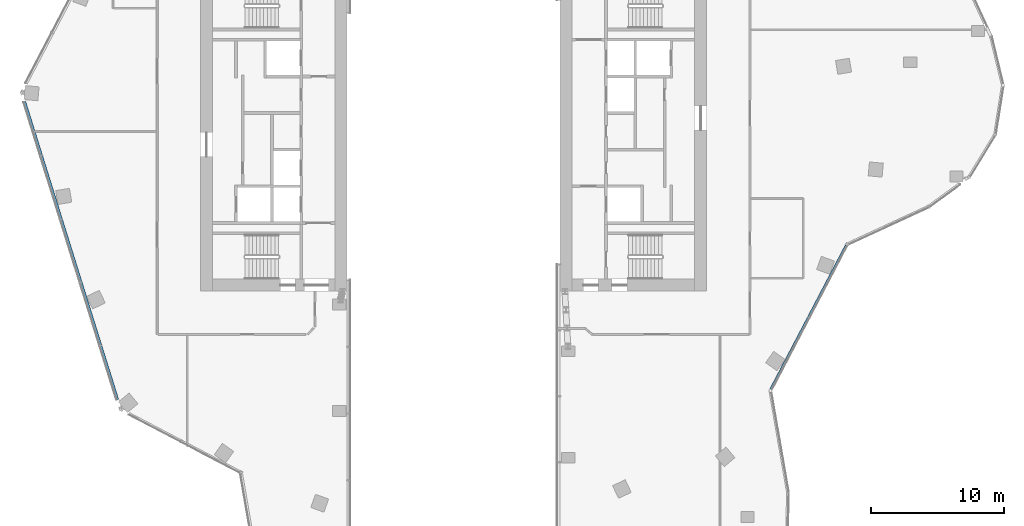
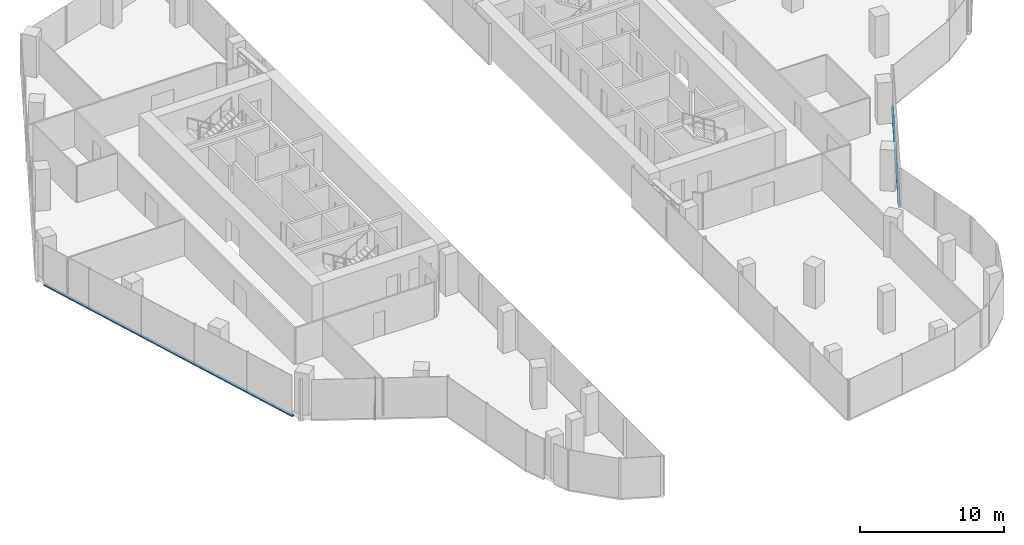
# One storey, part 4 of 23: 2 members, 2 elements without a shape of their own.
"""IFC4 building model written with IfcOpenShell, lengths in metres."""

from ifc_helpers import new_model, si_unit, direction, frame, origin, origin_2d, place, context, subcontext, project, spatial, rectangle, extrude, material, material_profile, profile_set, type_object, element, aggregate, save


model = new_model("IFC4")

# Units and contexts
model_context = context("Model", 3, precision=1e-05, world=origin(), true_north=direction((0.0, 1.0)))
body_context = subcontext(model_context, "Body", "Model", "MODEL_VIEW")
ifc_project = project(units=[si_unit("LENGTHUNIT", "METRE"), si_unit("AREAUNIT", "SQUARE_METRE"), si_unit("VOLUMEUNIT", "CUBIC_METRE"), si_unit("PLANEANGLEUNIT", "RADIAN"), si_unit("MASSUNIT", "GRAM", prefix="KILO")], contexts=[model_context])

# Site, building, storey
site_placement = place(None, origin())
site = spatial("IfcSite", under=ifc_project, at=site_placement, CompositionType="ELEMENT")
building_placement = place(site_placement, origin())
building = spatial("IfcBuilding", under=site, at=building_placement, Name="Orlundy Tower", CompositionType="ELEMENT")
storey_placement = place(building_placement, frame((0.0, 0.0, 264.0)))
storey = spatial("IfcBuildingStorey", under=building, at=storey_placement, Name="L70", CompositionType="ELEMENT", Elevation=264.0)

# Curtain wall, member
ifc_material_1 = material(Name="Aluminium bronze anodised", Category="aluminium")
curtain_wall_type = type_object("IfcCurtainWallType", Name="CW1 wall", PredefinedType="NOTDEFINED", material=ifc_material_1)
curtain_wall_1_placement = place(storey_placement, origin())
curtain_wall_1 = element("IfcCurtainWall", 1, at=curtain_wall_1_placement, inside=storey, type_object=curtain_wall_type, Name="CW1 run 01", PredefinedType="NOTDEFINED")
ifc_material_2 = material(Name="Aluminium bronze anodised", Category="aluminium")
ifc_material_profile = material_profile(ifc_material_2, rectangle(XDim=0.179931640625, YDim=0.1201171875, at=origin_2d()), Name="CW1 transom 180x120")
ifc_profile_set = profile_set([ifc_material_profile], Name="Aluminium bronze anodised")
member_type = type_object("IfcMemberType", Name="CW1 transom 180x120", PredefinedType="USERDEFINED", material=ifc_profile_set)
member_1_placement = place(storey_placement, frame((-25.2275390625, -20.16455078125, -0.340087890625), z_axis=(-0.297957453874, 0.954579151082, 0.0), x_axis=(-0.954579151082, -0.297957453874, 0.0)))
member_1 = element("IfcMember", 2, at=member_1_placement, type_object=member_type, Name="CW1 transom", ObjectType="TRANSOM", PredefinedType="USERDEFINED", context=body_context, shape_type="SweptSolid", body=[
    extrude(rectangle(XDim=0.179931640625, YDim=0.1201171875, at=origin_2d()), origin(), (0.0, 0.0, 1.0), 23.46630859375),
])
aggregate(curtain_wall_1, [member_1])

curtain_wall_2_placement = place(storey_placement, origin())
curtain_wall_2 = element("IfcCurtainWall", 3, at=curtain_wall_2_placement, inside=storey, type_object=curtain_wall_type, Name="CW1 run 111", PredefinedType="NOTDEFINED")
member_2_placement = place(storey_placement, frame((29.49267578125, -8.548583984375, -0.340087890625), z_axis=(-0.464325680741, -0.885664531414, 0.0), x_axis=(0.885664531414, -0.464325680741, 0.0)))
member_2 = element("IfcMember", 4, at=member_2_placement, type_object=member_type, Name="CW1 transom", ObjectType="TRANSOM", PredefinedType="USERDEFINED", context=body_context, shape_type="SweptSolid", body=[
    extrude(rectangle(XDim=0.179931640625, YDim=0.1201171875, at=origin_2d()), origin(), (0.0, 0.0, 1.0), 12.22216796875),
])
aggregate(curtain_wall_2, [member_2])

save(model, "model.ifc")
